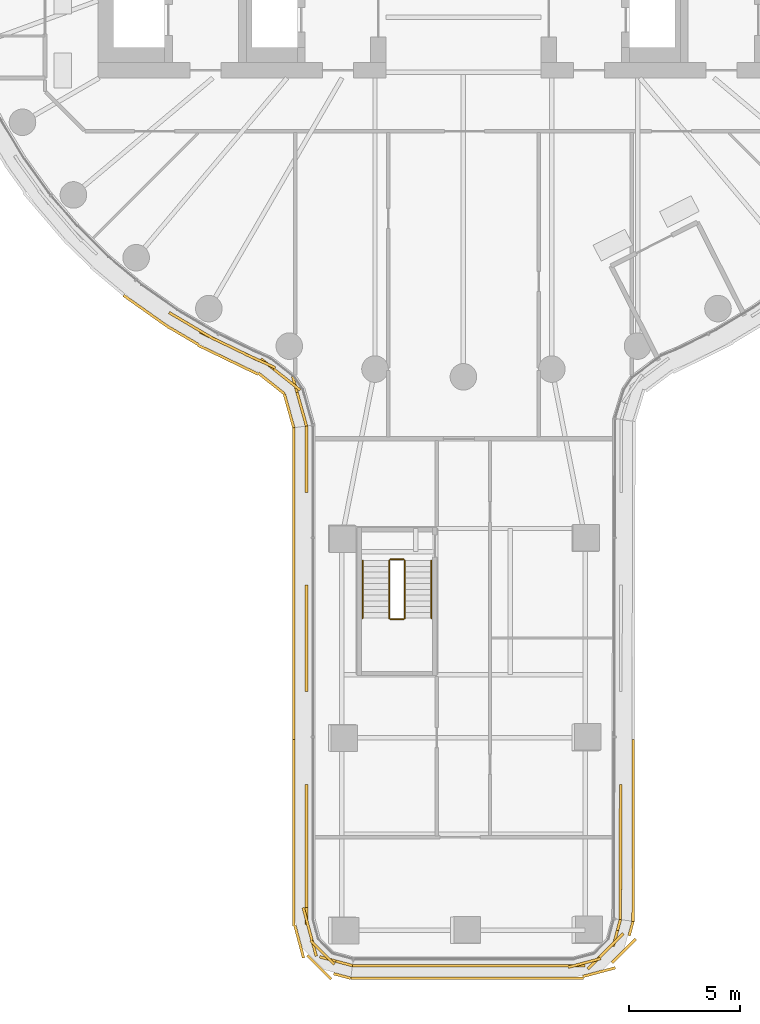
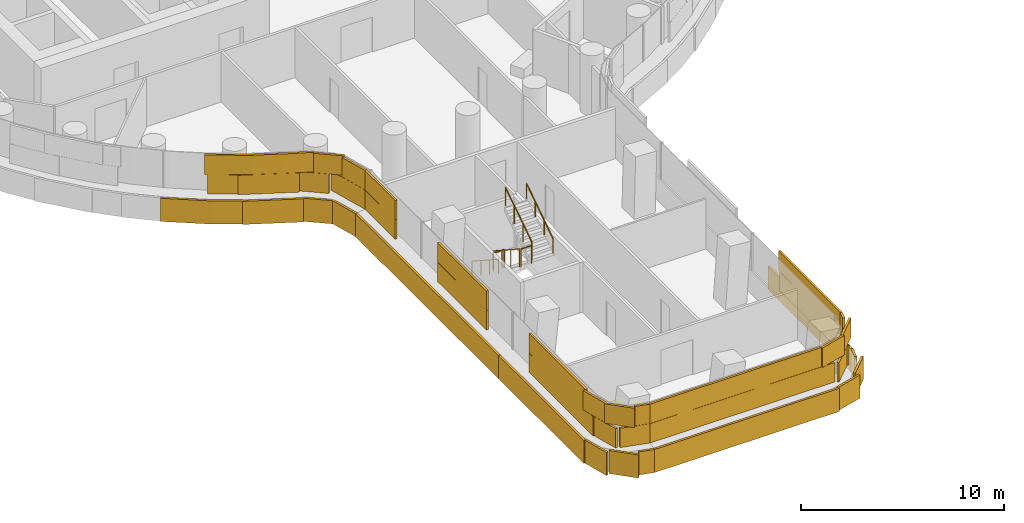
# One storey, part 25 of 32: 6 railings, 5 coverings.
"""IFC4 building model written with IfcOpenShell, lengths in metres."""

from ifc_helpers import new_model, si_unit, direction, frame, origin, origin_2d, place, context, subcontext, project, spatial, rectangle, circle, extrude, material, layer, layer_set, type_object, element, save


model = new_model("IFC4")

# Units and contexts
model_context = context("Model", 3, precision=1e-05, world=origin(), true_north=direction((0.0, 1.0)))
body_context = subcontext(model_context, "Body", "Model", "MODEL_VIEW")
ifc_project = project(units=[si_unit("LENGTHUNIT", "METRE"), si_unit("AREAUNIT", "SQUARE_METRE"), si_unit("VOLUMEUNIT", "CUBIC_METRE"), si_unit("PLANEANGLEUNIT", "RADIAN"), si_unit("MASSUNIT", "GRAM", prefix="KILO")], contexts=[model_context])

# Site, building, storey
site_placement = place(None, origin())
site = spatial("IfcSite", under=ifc_project, at=site_placement, CompositionType="ELEMENT")
building_placement = place(site_placement, origin())
building = spatial("IfcBuilding", under=site, at=building_placement, Name="Tamarind Cross Interchange Tower", CompositionType="ELEMENT")
storey_placement = place(building_placement, frame((0.0, 0.0, 34.0)))
storey = spatial("IfcBuildingStorey", under=building, at=storey_placement, Name="L06", CompositionType="ELEMENT", Elevation=34.0)

# Railings
ifc_material_1 = material(Name="Stair guard")
railing_type_1 = type_object("IfcRailingType", Name="Stair guard", PredefinedType="GUARDRAIL", material=ifc_material_1)
railing_1_placement = place(storey_placement, frame((-3.35009765625, -31.300048828125, 0.17041015625)))
element("IfcRailing", 1, at=railing_1_placement, inside=storey, type_object=railing_type_1, Name="L06 ST6 stair guard 1", PredefinedType="GUARDRAIL", context=body_context, shape_type="SweptSolid", body=[
    extrude(circle(Radius=0.02392578125, at=origin_2d()), frame((0.0, 0.0, 1.076171875), z_axis=(0.0, -0.836278606002, 0.548304744775), x_axis=(1.0, 0.0, 0.0)), (0.0, 0.0, 1.0), 3.10888671875),
    extrude(circle(Radius=0.02099609375, at=origin_2d()), origin(), (0.0, 0.0, 1.0), 1.052001953125),
    extrude(circle(Radius=0.02099609375, at=origin_2d()), frame((0.0, -0.86669921875, 0.568115234375)), (0.0, 0.0, 1.0), 1.052001953125),
    extrude(circle(Radius=0.02099609375, at=origin_2d()), frame((0.0, -1.733154296875, 1.136474609375)), (0.0, 0.0, 1.0), 1.052001953125),
    extrude(circle(Radius=0.02099609375, at=origin_2d()), frame((0.0, -2.599853515625, 1.70458984375)), (0.0, 0.0, 1.0), 1.052001953125),
])
railing_2_placement = place(storey_placement, frame((-3.300048828125, -33.949951171875, 1.875)))
element("IfcRailing", 2, at=railing_2_placement, inside=storey, type_object=railing_type_1, Name="L06 ST6 stair guard 2", PredefinedType="GUARDRAIL", context=body_context, shape_type="SweptSolid", body=[
    extrude(circle(Radius=0.02392578125, at=origin_2d()), frame((0.0, 0.0, 1.076171875), z_axis=(1.0, 0.0, 0.0), x_axis=(0.0, 1.0, 0.0)), (0.0, 0.0, 1.0), 0.60009765625),
    extrude(circle(Radius=0.02099609375, at=origin_2d()), origin(), (0.0, 0.0, 1.0), 1.052001953125),
    extrude(circle(Radius=0.02099609375, at=origin_2d()), frame((0.60009765625, 0.0, 0.0)), (0.0, 0.0, 1.0), 1.052001953125),
])
railing_3_placement = place(storey_placement, frame((-2.64990234375, -33.89990234375, 2.04541015625)))
element("IfcRailing", 3, at=railing_3_placement, inside=storey, type_object=railing_type_1, Name="L06 ST6 stair guard 3", PredefinedType="GUARDRAIL", context=body_context, shape_type="SweptSolid", body=[
    extrude(circle(Radius=0.02392578125, at=origin_2d()), frame((0.0, 0.0, 1.076171875), z_axis=(0.0, 0.836278606002, 0.548304744775), x_axis=(-1.0, 0.0, 0.0)), (0.0, 0.0, 1.0), 3.10888671875),
    extrude(circle(Radius=0.02099609375, at=origin_2d()), origin(), (0.0, 0.0, 1.0), 1.052001953125),
    extrude(circle(Radius=0.02099609375, at=origin_2d()), frame((0.0, 0.86669921875, 0.568115234375)), (0.0, 0.0, 1.0), 1.052001953125),
    extrude(circle(Radius=0.02099609375, at=origin_2d()), frame((0.0, 1.733154296875, 1.136474609375)), (0.0, 0.0, 1.0), 1.052001953125),
    extrude(circle(Radius=0.02099609375, at=origin_2d()), frame((0.0, 2.599853515625, 1.70458984375)), (0.0, 0.0, 1.0), 1.052001953125),
])
railing_4_placement = place(storey_placement, frame((-3.300048828125, -31.25, 0.0)))
element("IfcRailing", 4, at=railing_4_placement, inside=storey, type_object=railing_type_1, Name="L06 ST6 stair guard 4", PredefinedType="GUARDRAIL", context=body_context, shape_type="SweptSolid", body=[
    extrude(circle(Radius=0.02392578125, at=origin_2d()), frame((0.0, 0.0, 1.076171875), z_axis=(1.0, 0.0, 0.0), x_axis=(0.0, 1.0, 0.0)), (0.0, 0.0, 1.0), 0.60009765625),
    extrude(circle(Radius=0.02099609375, at=origin_2d()), origin(), (0.0, 0.0, 1.0), 1.052001953125),
    extrude(circle(Radius=0.02099609375, at=origin_2d()), frame((0.60009765625, 0.0, 0.0)), (0.0, 0.0, 1.0), 1.052001953125),
])
ifc_material_2 = material(Name="Stair handrail")
railing_type_2 = type_object("IfcRailingType", Name="Stair handrail", PredefinedType="HANDRAIL", material=ifc_material_2)
railing_5_placement = place(storey_placement, frame((-4.550048828125, -31.300048828125, 0.17041015625)))
element("IfcRailing", 5, at=railing_5_placement, inside=storey, type_object=railing_type_2, Name="L06 ST6 stair handrail 1", PredefinedType="HANDRAIL", context=body_context, shape_type="SweptSolid", body=[
    extrude(circle(Radius=0.02392578125, at=origin_2d()), frame((0.0, 0.0, 0.8759765625), z_axis=(0.0, -0.836278606002, 0.548304744775), x_axis=(1.0, 0.0, 0.0)), (0.0, 0.0, 1.0), 3.10888671875),
    extrude(circle(Radius=0.02099609375, at=origin_2d()), origin(), (0.0, 0.0, 1.0), 0.851806640625),
    extrude(circle(Radius=0.02099609375, at=origin_2d()), frame((0.0, -0.86669921875, 0.568115234375)), (0.0, 0.0, 1.0), 0.851806640625),
    extrude(circle(Radius=0.02099609375, at=origin_2d()), frame((0.0, -1.733154296875, 1.136474609375)), (0.0, 0.0, 1.0), 0.851806640625),
    extrude(circle(Radius=0.02099609375, at=origin_2d()), frame((0.0, -2.599853515625, 1.70458984375)), (0.0, 0.0, 1.0), 0.851806640625),
])
railing_6_placement = place(storey_placement, frame((-1.449951171875, -33.89990234375, 2.04541015625)))
element("IfcRailing", 6, at=railing_6_placement, inside=storey, type_object=railing_type_2, Name="L06 ST6 stair handrail 2", PredefinedType="HANDRAIL", context=body_context, shape_type="SweptSolid", body=[
    extrude(circle(Radius=0.02392578125, at=origin_2d()), frame((0.0, 0.0, 0.8759765625), z_axis=(0.0, 0.836278606002, 0.548304744775), x_axis=(-1.0, 0.0, 0.0)), (0.0, 0.0, 1.0), 3.10888671875),
    extrude(circle(Radius=0.02099609375, at=origin_2d()), origin(), (0.0, 0.0, 1.0), 0.851806640625),
    extrude(circle(Radius=0.02099609375, at=origin_2d()), frame((0.0, 0.86669921875, 0.568115234375)), (0.0, 0.0, 1.0), 0.851806640625),
    extrude(circle(Radius=0.02099609375, at=origin_2d()), frame((0.0, 1.733154296875, 1.136474609375)), (0.0, 0.0, 1.0), 0.851806640625),
    extrude(circle(Radius=0.02099609375, at=origin_2d()), frame((0.0, 2.599853515625, 1.70458984375)), (0.0, 0.0, 1.0), 0.851806640625),
])

# Coverings
ifc_material_3 = material(Name="Terracotta", Category="masonry")
ifc_layer = layer(ifc_material_3, 0.1201171875)
ifc_layer_set = layer_set([ifc_layer], Name="Terracotta")
covering_type = type_object("IfcCoveringType", Name="Terracotta baguette screen unit", PredefinedType="MOLDING", material=ifc_layer_set)
covering_1_placement = place(storey_placement, origin())
element("IfcCovering", 7, at=covering_1_placement, inside=storey, type_object=covering_type, Name="SCR-L06-03-01", PredefinedType="MOLDING", context=body_context, shape_type="SweptSolid", body=[
    extrude(rectangle(XDim=1.52001953125, YDim=0.1201171875, at=origin_2d()), frame((-12.519775390625, -20.55517578125, 1.404052734375), z_axis=(0.0, 0.0, 1.0), x_axis=(0.861248933065, -0.508183308752, 0.0)), (0.0, 0.0, 1.0), 1.1669921875),
    extrude(rectangle(XDim=1.52001953125, YDim=0.1201171875, at=origin_2d()), frame((-11.221435546875, -21.30517578125, 1.404052734375), z_axis=(0.0, 0.0, 1.0), x_axis=(0.900272776334, -0.435326231914, 0.0)), (0.0, 0.0, 1.0), 1.1669921875),
    extrude(rectangle(XDim=1.52001953125, YDim=0.1201171875, at=origin_2d()), frame((-9.87109375, -21.958251953125, 1.404052734375), z_axis=(0.0, 0.0, 1.0), x_axis=(0.900272776334, -0.435326231914, 0.0)), (0.0, 0.0, 1.0), 1.1669921875),
    extrude(rectangle(XDim=1.52001953125, YDim=0.1201171875, at=origin_2d()), frame((-8.5546875, -22.660888671875, 1.404052734375), z_axis=(0.0, 0.0, 1.0), x_axis=(0.782751095823, -0.622334895364, 0.0)), (0.0, 0.0, 1.0), 1.1669921875),
    extrude(rectangle(XDim=1.52001953125, YDim=0.1201171875, at=origin_2d()), frame((-7.510986328125, -23.712890625, 1.404052734375), z_axis=(0.0, 0.0, 1.0), x_axis=(0.268868386706, -0.963176925923, 0.0)), (0.0, 0.0, 1.0), 1.1669921875),
    extrude(rectangle(XDim=0.825927734375, YDim=0.1201171875, at=origin_2d()), frame((-7.19970703125, -24.828125, 1.404052734375), z_axis=(0.0, 0.0, 1.0), x_axis=(0.268868386706, -0.963176925923, 0.0)), (0.0, 0.0, 1.0), 1.1669921875),
    extrude(rectangle(XDim=0.906494140625, YDim=0.1201171875, at=origin_2d()), frame((-12.906005859375, -20.327392578125, 2.5791015625), z_axis=(0.0, 0.0, 1.0), x_axis=(0.861248933065, -0.508183308752, 0.0)), (0.0, 0.0, 1.0), 1.1669921875),
    extrude(rectangle(XDim=1.52001953125, YDim=0.1201171875, at=origin_2d()), frame((-11.8740234375, -20.936279296875, 2.5791015625), z_axis=(0.0, 0.0, 1.0), x_axis=(0.861248933065, -0.508183308752, 0.0)), (0.0, 0.0, 1.0), 1.1669921875),
    extrude(rectangle(XDim=1.52001953125, YDim=0.1201171875, at=origin_2d()), frame((-10.546142578125, -21.631591796875, 2.5791015625), z_axis=(0.0, 0.0, 1.0), x_axis=(0.900272776334, -0.435326231914, 0.0)), (0.0, 0.0, 1.0), 1.1669921875),
    extrude(rectangle(XDim=1.52001953125, YDim=0.1201171875, at=origin_2d()), frame((-9.19140625, -22.275146484375, 2.5791015625), z_axis=(0.0, 0.0, 1.0), x_axis=(0.910748805886, -0.412960788184, 0.0)), (0.0, 0.0, 1.0), 1.1669921875),
    extrude(rectangle(XDim=1.52001953125, YDim=0.1201171875, at=origin_2d()), frame((-7.9677734375, -23.127685546875, 2.5791015625), z_axis=(0.0, 0.0, 1.0), x_axis=(0.782751095823, -0.622334895364, 0.0)), (0.0, 0.0, 1.0), 1.1669921875),
    extrude(rectangle(XDim=1.52001953125, YDim=0.1201171875, at=origin_2d()), frame((-7.309326171875, -24.435302734375, 2.5791015625), z_axis=(0.0, 0.0, 1.0), x_axis=(0.268868386706, -0.963176925923, 0.0)), (0.0, 0.0, 1.0), 1.1669921875),
    extrude(rectangle(XDim=0.075927734375, YDim=0.1201171875, at=origin_2d()), frame((-7.098876953125, -25.189453125, 2.5791015625), z_axis=(0.0, 0.0, 1.0), x_axis=(0.268868386706, -0.963176925923, 0.0)), (0.0, 0.0, 1.0), 1.1669921875),
    extrude(rectangle(XDim=1.059814453125, YDim=0.1201171875, at=origin_2d()), frame((-14.920654296875, -19.626220703125, 0.00390625), z_axis=(0.0, 0.0, 1.0), x_axis=(0.816341886298, -0.577568978284, 0.0)), (0.0, 0.0, 1.0), 1.39208984375),
    extrude(rectangle(XDim=1.52001953125, YDim=0.1201171875, at=origin_2d()), frame((-13.884033203125, -20.359619140625, 0.00390625), z_axis=(0.0, 0.0, 1.0), x_axis=(0.816341886298, -0.577568978284, 0.0)), (0.0, 0.0, 1.0), 1.39208984375),
    extrude(rectangle(XDim=1.52001953125, YDim=0.1201171875, at=origin_2d()), frame((-12.618896484375, -21.1630859375, 0.00390625), z_axis=(0.0, 0.0, 1.0), x_axis=(0.861248933065, -0.508183308752, 0.0)), (0.0, 0.0, 1.0), 1.39208984375),
    extrude(rectangle(XDim=1.52001953125, YDim=0.1201171875, at=origin_2d()), frame((-11.312744140625, -21.898681640625, 0.00390625), z_axis=(0.0, 0.0, 1.0), x_axis=(0.900272776334, -0.435326231914, 0.0)), (0.0, 0.0, 1.0), 1.39208984375),
    extrude(rectangle(XDim=1.52001953125, YDim=0.1201171875, at=origin_2d()), frame((-9.962158203125, -22.551513671875, 0.00390625), z_axis=(0.0, 0.0, 1.0), x_axis=(0.900272776334, -0.435326231914, 0.0)), (0.0, 0.0, 1.0), 1.39208984375),
    extrude(rectangle(XDim=1.52001953125, YDim=0.1201171875, at=origin_2d()), frame((-8.674072265625, -23.29931640625, 0.00390625), z_axis=(0.0, 0.0, 1.0), x_axis=(0.782751095823, -0.622334895364, 0.0)), (0.0, 0.0, 1.0), 1.39208984375),
    extrude(rectangle(XDim=1.52001953125, YDim=0.1201171875, at=origin_2d()), frame((-7.884521484375, -24.50927734375, 0.00390625), z_axis=(0.0, 0.0, 1.0), x_axis=(0.268868386706, -0.963176925923, 0.0)), (0.0, 0.0, 1.0), 1.39208984375),
    extrude(rectangle(XDim=0.08056640625, YDim=0.1201171875, at=origin_2d()), frame((-7.6748046875, -25.260986328125, 0.00390625), z_axis=(0.0, 0.0, 1.0), x_axis=(0.268868386706, -0.963176925923, 0.0)), (0.0, 0.0, 1.0), 1.39208984375),
])
covering_2_placement = place(storey_placement, origin())
element("IfcCovering", 8, at=covering_2_placement, inside=storey, type_object=covering_type, Name="SCR-L06-04-00", PredefinedType="MOLDING", context=body_context, shape_type="SweptSolid", body=[
    extrude(rectangle(XDim=1.510009765625, YDim=0.1201171875, at=origin_2d()), frame((-7.090087890625, -25.97119140625, 1.404052734375), z_axis=(0.0, 0.0, 1.0), x_axis=(0.0, -1.0, 0.0)), (0.0, 0.0, 1.0), 1.1669921875),
    extrude(rectangle(XDim=1.5009765625, YDim=0.1201171875, at=origin_2d()), frame((-7.090087890625, -27.466552734375, 1.404052734375), z_axis=(0.0, 0.0, 1.0), x_axis=(0.0, -1.0, 0.0)), (0.0, 0.0, 1.0), 1.1669921875),
    extrude(rectangle(XDim=0.31884765625, YDim=0.1201171875, at=origin_2d()), frame((-7.090087890625, -32.566650390625, 1.404052734375), z_axis=(0.0, 0.0, 1.0), x_axis=(0.0, -1.0, 0.0)), (0.0, 0.0, 1.0), 1.1669921875),
    extrude(rectangle(XDim=1.52001953125, YDim=0.1201171875, at=origin_2d()), frame((-7.090087890625, -33.47119140625, 1.404052734375), z_axis=(0.0, 0.0, 1.0), x_axis=(0.0, -1.0, 0.0)), (0.0, 0.0, 1.0), 1.1669921875),
    extrude(rectangle(XDim=1.52001953125, YDim=0.1201171875, at=origin_2d()), frame((-7.090087890625, -34.97119140625, 1.404052734375), z_axis=(0.0, 0.0, 1.0), x_axis=(0.0, -1.0, 0.0)), (0.0, 0.0, 1.0), 1.1669921875),
    extrude(rectangle(XDim=1.5009765625, YDim=0.1201171875, at=origin_2d()), frame((-7.090087890625, -36.466552734375, 1.404052734375), z_axis=(0.0, 0.0, 1.0), x_axis=(0.0, -1.0, 0.0)), (0.0, 0.0, 1.0), 1.1669921875),
    extrude(rectangle(XDim=0.760009765625, YDim=0.1201171875, at=origin_2d()), frame((-7.090087890625, -25.59619140625, 2.5791015625), z_axis=(0.0, 0.0, 1.0), x_axis=(0.0, -1.0, 0.0)), (0.0, 0.0, 1.0), 1.1669921875),
    extrude(rectangle(XDim=1.52001953125, YDim=0.1201171875, at=origin_2d()), frame((-7.090087890625, -26.72119140625, 2.5791015625), z_axis=(0.0, 0.0, 1.0), x_axis=(0.0, -1.0, 0.0)), (0.0, 0.0, 1.0), 1.1669921875),
    extrude(rectangle(XDim=0.7509765625, YDim=0.1201171875, at=origin_2d()), frame((-7.090087890625, -27.841552734375, 2.5791015625), z_axis=(0.0, 0.0, 1.0), x_axis=(0.0, -1.0, 0.0)), (0.0, 0.0, 1.0), 1.1669921875),
    extrude(rectangle(XDim=1.06884765625, YDim=0.1201171875, at=origin_2d()), frame((-7.090087890625, -32.941650390625, 2.5791015625), z_axis=(0.0, 0.0, 1.0), x_axis=(0.0, -1.0, 0.0)), (0.0, 0.0, 1.0), 1.1669921875),
    extrude(rectangle(XDim=1.52001953125, YDim=0.1201171875, at=origin_2d()), frame((-7.090087890625, -34.22119140625, 2.5791015625), z_axis=(0.0, 0.0, 1.0), x_axis=(0.0, -1.0, 0.0)), (0.0, 0.0, 1.0), 1.1669921875),
    extrude(rectangle(XDim=1.52001953125, YDim=0.1201171875, at=origin_2d()), frame((-7.090087890625, -35.72119140625, 2.5791015625), z_axis=(0.0, 0.0, 1.0), x_axis=(0.0, -1.0, 0.0)), (0.0, 0.0, 1.0), 1.1669921875),
    extrude(rectangle(XDim=0.7509765625, YDim=0.1201171875, at=origin_2d()), frame((-7.090087890625, -36.841552734375, 2.5791015625), z_axis=(0.0, 0.0, 1.0), x_axis=(0.0, -1.0, 0.0)), (0.0, 0.0, 1.0), 1.1669921875),
    extrude(rectangle(XDim=1.510009765625, YDim=0.1201171875, at=origin_2d()), frame((-7.6640625, -26.0546875, 0.00390625), z_axis=(0.0, 0.0, 1.0), x_axis=(0.0, -1.0, 0.0)), (0.0, 0.0, 1.0), 1.39208984375),
    extrude(rectangle(XDim=1.52001953125, YDim=0.1201171875, at=origin_2d()), frame((-7.6640625, -27.5498046875, 0.00390625), z_axis=(0.0, 0.0, 1.0), x_axis=(0.0, -1.0, 0.0)), (0.0, 0.0, 1.0), 1.39208984375),
    extrude(rectangle(XDim=1.52001953125, YDim=0.1201171875, at=origin_2d()), frame((-7.6640625, -29.0498046875, 0.00390625), z_axis=(0.0, 0.0, 1.0), x_axis=(0.0, -1.0, 0.0)), (0.0, 0.0, 1.0), 1.39208984375),
    extrude(rectangle(XDim=1.52001953125, YDim=0.1201171875, at=origin_2d()), frame((-7.6640625, -30.5498046875, 0.00390625), z_axis=(0.0, 0.0, 1.0), x_axis=(0.0, -1.0, 0.0)), (0.0, 0.0, 1.0), 1.39208984375),
    extrude(rectangle(XDim=1.52001953125, YDim=0.1201171875, at=origin_2d()), frame((-7.6640625, -32.0498046875, 0.00390625), z_axis=(0.0, 0.0, 1.0), x_axis=(0.0, -1.0, 0.0)), (0.0, 0.0, 1.0), 1.39208984375),
    extrude(rectangle(XDim=1.52001953125, YDim=0.1201171875, at=origin_2d()), frame((-7.6640625, -33.5498046875, 0.00390625), z_axis=(0.0, 0.0, 1.0), x_axis=(0.0, -1.0, 0.0)), (0.0, 0.0, 1.0), 1.39208984375),
    extrude(rectangle(XDim=1.52001953125, YDim=0.1201171875, at=origin_2d()), frame((-7.6640625, -35.0498046875, 0.00390625), z_axis=(0.0, 0.0, 1.0), x_axis=(0.0, -1.0, 0.0)), (0.0, 0.0, 1.0), 1.39208984375),
    extrude(rectangle(XDim=1.52001953125, YDim=0.1201171875, at=origin_2d()), frame((-7.6640625, -36.5498046875, 0.00390625), z_axis=(0.0, 0.0, 1.0), x_axis=(0.0, -1.0, 0.0)), (0.0, 0.0, 1.0), 1.39208984375),
    extrude(rectangle(XDim=1.52001953125, YDim=0.1201171875, at=origin_2d()), frame((-7.6640625, -38.0498046875, 0.00390625), z_axis=(0.0, 0.0, 1.0), x_axis=(0.0, -1.0, 0.0)), (0.0, 0.0, 1.0), 1.39208984375),
    extrude(rectangle(XDim=0.598876953125, YDim=0.1201171875, at=origin_2d()), frame((-7.6640625, -39.089111328125, 0.00390625), z_axis=(0.0, 0.0, 1.0), x_axis=(0.0, -1.0, 0.0)), (0.0, 0.0, 1.0), 1.39208984375),
])
covering_3_placement = place(storey_placement, origin())
element("IfcCovering", 9, at=covering_3_placement, inside=storey, type_object=covering_type, Name="SCR-L06-04-01", PredefinedType="MOLDING", context=body_context, shape_type="SweptSolid", body=[
    extrude(rectangle(XDim=0.319091796875, YDim=0.1201171875, at=origin_2d()), frame((-7.090087890625, -41.566650390625, 1.404052734375), z_axis=(0.0, 0.0, 1.0), x_axis=(0.0, -1.0, 0.0)), (0.0, 0.0, 1.0), 1.1669921875),
    extrude(rectangle(XDim=1.52001953125, YDim=0.1201171875, at=origin_2d()), frame((-7.090087890625, -42.47119140625, 1.404052734375), z_axis=(0.0, 0.0, 1.0), x_axis=(0.0, -1.0, 0.0)), (0.0, 0.0, 1.0), 1.1669921875),
    extrude(rectangle(XDim=1.52001953125, YDim=0.1201171875, at=origin_2d()), frame((-7.090087890625, -43.97119140625, 1.404052734375), z_axis=(0.0, 0.0, 1.0), x_axis=(0.0, -1.0, 0.0)), (0.0, 0.0, 1.0), 1.1669921875),
    extrude(rectangle(XDim=1.52001953125, YDim=0.1201171875, at=origin_2d()), frame((-7.090087890625, -45.47119140625, 1.404052734375), z_axis=(0.0, 0.0, 1.0), x_axis=(0.0, -1.0, 0.0)), (0.0, 0.0, 1.0), 1.1669921875),
    extrude(rectangle(XDim=1.52001953125, YDim=0.1201171875, at=origin_2d()), frame((-7.090087890625, -46.97119140625, 1.404052734375), z_axis=(0.0, 0.0, 1.0), x_axis=(0.0, -1.0, 0.0)), (0.0, 0.0, 1.0), 1.1669921875),
    extrude(rectangle(XDim=1.52001953125, YDim=0.1201171875, at=origin_2d()), frame((-6.84375, -48.438720703125, 1.404052734375), z_axis=(0.0, 0.0, 1.0), x_axis=(0.258819045103, -0.965925826289, 0.0)), (0.0, 0.0, 1.0), 1.1669921875),
    extrude(rectangle(XDim=1.52001953125, YDim=0.1201171875, at=origin_2d()), frame((-5.759765625, -49.397216796875, 1.404052734375), z_axis=(0.0, 0.0, 1.0), x_axis=(0.965925826289, -0.258819045103, 0.0)), (0.0, 0.0, 1.0), 1.1669921875),
    extrude(rectangle(XDim=0.034423828125, YDim=0.1201171875, at=origin_2d()), frame((-5.023681640625, -49.594482421875, 1.404052734375), z_axis=(0.0, 0.0, 1.0), x_axis=(0.965925826289, -0.258819045103, 0.0)), (0.0, 0.0, 1.0), 1.1669921875),
    extrude(rectangle(XDim=1.069091796875, YDim=0.1201171875, at=origin_2d()), frame((-7.090087890625, -41.941650390625, 2.5791015625), z_axis=(0.0, 0.0, 1.0), x_axis=(0.0, -1.0, 0.0)), (0.0, 0.0, 1.0), 1.1669921875),
    extrude(rectangle(XDim=1.52001953125, YDim=0.1201171875, at=origin_2d()), frame((-7.090087890625, -43.22119140625, 2.5791015625), z_axis=(0.0, 0.0, 1.0), x_axis=(0.0, -1.0, 0.0)), (0.0, 0.0, 1.0), 1.1669921875),
    extrude(rectangle(XDim=1.52001953125, YDim=0.1201171875, at=origin_2d()), frame((-7.090087890625, -44.72119140625, 2.5791015625), z_axis=(0.0, 0.0, 1.0), x_axis=(0.0, -1.0, 0.0)), (0.0, 0.0, 1.0), 1.1669921875),
    extrude(rectangle(XDim=1.52001953125, YDim=0.1201171875, at=origin_2d()), frame((-7.090087890625, -46.22119140625, 2.5791015625), z_axis=(0.0, 0.0, 1.0), x_axis=(0.0, -1.0, 0.0)), (0.0, 0.0, 1.0), 1.1669921875),
    extrude(rectangle(XDim=1.52001953125, YDim=0.1201171875, at=origin_2d()), frame((-7.037841796875, -47.71435546875, 2.5791015625), z_axis=(0.0, 0.0, 1.0), x_axis=(0.258819045103, -0.965925826289, 0.0)), (0.0, 0.0, 1.0), 1.1669921875),
    extrude(rectangle(XDim=1.52001953125, YDim=0.1201171875, at=origin_2d()), frame((-6.366943359375, -49.0, 2.5791015625), z_axis=(0.0, 0.0, 1.0), x_axis=(0.707106781187, -0.707106781187, 0.0)), (0.0, 0.0, 1.0), 1.1669921875),
    extrude(rectangle(XDim=0.784423828125, YDim=0.1201171875, at=origin_2d()), frame((-5.3857421875, -49.497314453125, 2.5791015625), z_axis=(0.0, 0.0, 1.0), x_axis=(0.965925826289, -0.258819045103, 0.0)), (0.0, 0.0, 1.0), 1.1669921875),
    extrude(rectangle(XDim=0.921142578125, YDim=0.1201171875, at=origin_2d()), frame((-7.6640625, -39.84912109375, 0.00390625), z_axis=(0.0, 0.0, 1.0), x_axis=(0.0, -1.0, 0.0)), (0.0, 0.0, 1.0), 1.39208984375),
    extrude(rectangle(XDim=1.52001953125, YDim=0.1201171875, at=origin_2d()), frame((-7.6640625, -41.0498046875, 0.00390625), z_axis=(0.0, 0.0, 1.0), x_axis=(0.0, -1.0, 0.0)), (0.0, 0.0, 1.0), 1.39208984375),
    extrude(rectangle(XDim=1.52001953125, YDim=0.1201171875, at=origin_2d()), frame((-7.6640625, -42.5498046875, 0.00390625), z_axis=(0.0, 0.0, 1.0), x_axis=(0.0, -1.0, 0.0)), (0.0, 0.0, 1.0), 1.39208984375),
    extrude(rectangle(XDim=1.52001953125, YDim=0.1201171875, at=origin_2d()), frame((-7.6640625, -44.0498046875, 0.00390625), z_axis=(0.0, 0.0, 1.0), x_axis=(0.0, -1.0, 0.0)), (0.0, 0.0, 1.0), 1.39208984375),
    extrude(rectangle(XDim=1.52001953125, YDim=0.1201171875, at=origin_2d()), frame((-7.6640625, -45.5498046875, 0.00390625), z_axis=(0.0, 0.0, 1.0), x_axis=(0.0, -1.0, 0.0)), (0.0, 0.0, 1.0), 1.39208984375),
    extrude(rectangle(XDim=1.52001953125, YDim=0.1201171875, at=origin_2d()), frame((-7.6640625, -47.0498046875, 0.00390625), z_axis=(0.0, 0.0, 1.0), x_axis=(0.0, -1.0, 0.0)), (0.0, 0.0, 1.0), 1.39208984375),
    extrude(rectangle(XDim=1.52001953125, YDim=0.1201171875, at=origin_2d()), frame((-7.4169921875, -48.51708984375, 0.00390625), z_axis=(0.0, 0.0, 1.0), x_axis=(0.258819045103, -0.965925826289, 0.0)), (0.0, 0.0, 1.0), 1.39208984375),
    extrude(rectangle(XDim=1.52001953125, YDim=0.1201171875, at=origin_2d()), frame((-6.51123046875, -49.66748046875, 0.00390625), z_axis=(0.0, 0.0, 1.0), x_axis=(0.707106781187, -0.707106781187, 0.0)), (0.0, 0.0, 1.0), 1.39208984375),
    extrude(rectangle(XDim=0.797607421875, YDim=0.1201171875, at=origin_2d()), frame((-5.47265625, -50.068359375, 0.00390625), z_axis=(0.0, 0.0, 1.0), x_axis=(0.965925826289, -0.258819045103, 0.0)), (0.0, 0.0, 1.0), 1.39208984375),
])
covering_4_placement = place(storey_placement, origin())
element("IfcCovering", 10, at=covering_4_placement, inside=storey, type_object=covering_type, Name="SCR-L06-05-00", PredefinedType="MOLDING", context=body_context, shape_type="SweptSolid", body=[
    extrude(rectangle(XDim=1.510009765625, YDim=0.1201171875, at=origin_2d()), frame((-4.261962890625, -49.59765625, 1.404052734375), z_axis=(0.0, 0.0, 1.0), x_axis=(1.0, 0.0, 0.0)), (0.0, 0.0, 1.0), 1.1669921875),
    extrude(rectangle(XDim=1.52001953125, YDim=0.1201171875, at=origin_2d()), frame((-2.761962890625, -49.59765625, 1.404052734375), z_axis=(0.0, 0.0, 1.0), x_axis=(1.0, 0.0, 0.0)), (0.0, 0.0, 1.0), 1.1669921875),
    extrude(rectangle(XDim=1.52001953125, YDim=0.1201171875, at=origin_2d()), frame((-1.261962890625, -49.59765625, 1.404052734375), z_axis=(0.0, 0.0, 1.0), x_axis=(1.0, 0.0, 0.0)), (0.0, 0.0, 1.0), 1.1669921875),
    extrude(rectangle(XDim=1.52001953125, YDim=0.1201171875, at=origin_2d()), frame((0.238037109375, -49.59765625, 1.404052734375), z_axis=(0.0, 0.0, 1.0), x_axis=(1.0, 0.0, 0.0)), (0.0, 0.0, 1.0), 1.1669921875),
    extrude(rectangle(XDim=1.52001953125, YDim=0.1201171875, at=origin_2d()), frame((1.738037109375, -49.59765625, 1.404052734375), z_axis=(0.0, 0.0, 1.0), x_axis=(1.0, 0.0, 0.0)), (0.0, 0.0, 1.0), 1.1669921875),
    extrude(rectangle(XDim=1.52001953125, YDim=0.1201171875, at=origin_2d()), frame((3.238037109375, -49.59765625, 1.404052734375), z_axis=(0.0, 0.0, 1.0), x_axis=(1.0, 0.0, 0.0)), (0.0, 0.0, 1.0), 1.1669921875),
    extrude(rectangle(XDim=1.52001953125, YDim=0.1201171875, at=origin_2d()), frame((4.738037109375, -49.59765625, 1.404052734375), z_axis=(0.0, 0.0, 1.0), x_axis=(1.0, 0.0, 0.0)), (0.0, 0.0, 1.0), 1.1669921875),
    extrude(rectangle(XDim=1.52001953125, YDim=0.1201171875, at=origin_2d()), frame((6.15625, -49.210693359375, 1.404052734375), z_axis=(0.0, 0.0, 1.0), x_axis=(0.707106781187, 0.707106781187, 0.0)), (0.0, 0.0, 1.0), 1.1669921875),
    extrude(rectangle(XDim=1.259521484375, YDim=0.1201171875, at=origin_2d()), frame((6.92822265625, -48.123046875, 1.404052734375), z_axis=(0.0, 0.0, 1.0), x_axis=(0.258819045103, 0.965925826289, 0.0)), (0.0, 0.0, 1.0), 1.1669921875),
    extrude(rectangle(XDim=0.760009765625, YDim=0.1201171875, at=origin_2d()), frame((-4.636962890625, -49.59765625, 2.5791015625), z_axis=(0.0, 0.0, 1.0), x_axis=(1.0, 0.0, 0.0)), (0.0, 0.0, 1.0), 1.1669921875),
    extrude(rectangle(XDim=1.52001953125, YDim=0.1201171875, at=origin_2d()), frame((-3.511962890625, -49.59765625, 2.5791015625), z_axis=(0.0, 0.0, 1.0), x_axis=(1.0, 0.0, 0.0)), (0.0, 0.0, 1.0), 1.1669921875),
    extrude(rectangle(XDim=1.52001953125, YDim=0.1201171875, at=origin_2d()), frame((-2.011962890625, -49.59765625, 2.5791015625), z_axis=(0.0, 0.0, 1.0), x_axis=(1.0, 0.0, 0.0)), (0.0, 0.0, 1.0), 1.1669921875),
    extrude(rectangle(XDim=1.52001953125, YDim=0.1201171875, at=origin_2d()), frame((-0.511962890625, -49.59765625, 2.5791015625), z_axis=(0.0, 0.0, 1.0), x_axis=(1.0, 0.0, 0.0)), (0.0, 0.0, 1.0), 1.1669921875),
    extrude(rectangle(XDim=1.52001953125, YDim=0.1201171875, at=origin_2d()), frame((0.988037109375, -49.59765625, 2.5791015625), z_axis=(0.0, 0.0, 1.0), x_axis=(1.0, 0.0, 0.0)), (0.0, 0.0, 1.0), 1.1669921875),
    extrude(rectangle(XDim=1.52001953125, YDim=0.1201171875, at=origin_2d()), frame((2.488037109375, -49.59765625, 2.5791015625), z_axis=(0.0, 0.0, 1.0), x_axis=(1.0, 0.0, 0.0)), (0.0, 0.0, 1.0), 1.1669921875),
    extrude(rectangle(XDim=1.52001953125, YDim=0.1201171875, at=origin_2d()), frame((3.988037109375, -49.59765625, 2.5791015625), z_axis=(0.0, 0.0, 1.0), x_axis=(1.0, 0.0, 0.0)), (0.0, 0.0, 1.0), 1.1669921875),
    extrude(rectangle(XDim=1.52001953125, YDim=0.1201171875, at=origin_2d()), frame((5.471923828125, -49.474365234375, 2.5791015625), z_axis=(0.0, 0.0, 1.0), x_axis=(0.965925826289, 0.258819045103, 0.0)), (0.0, 0.0, 1.0), 1.1669921875),
    extrude(rectangle(XDim=1.52001953125, YDim=0.1201171875, at=origin_2d()), frame((6.6865234375, -48.680419921875, 2.5791015625), z_axis=(0.0, 0.0, 1.0), x_axis=(0.707106781187, 0.707106781187, 0.0)), (0.0, 0.0, 1.0), 1.1669921875),
    extrude(rectangle(XDim=0.509521484375, YDim=0.1201171875, at=origin_2d()), frame((7.025390625, -47.7607421875, 2.5791015625), z_axis=(0.0, 0.0, 1.0), x_axis=(0.258819045103, 0.965925826289, 0.0)), (0.0, 0.0, 1.0), 1.1669921875),
    extrude(rectangle(XDim=1.510009765625, YDim=0.1201171875, at=origin_2d()), frame((-4.33251953125, -50.171630859375, 0.00390625), z_axis=(0.0, 0.0, 1.0), x_axis=(1.0, 0.0, 0.0)), (0.0, 0.0, 1.0), 1.39208984375),
    extrude(rectangle(XDim=1.52001953125, YDim=0.1201171875, at=origin_2d()), frame((-2.83740234375, -50.171630859375, 0.00390625), z_axis=(0.0, 0.0, 1.0), x_axis=(1.0, 0.0, 0.0)), (0.0, 0.0, 1.0), 1.39208984375),
    extrude(rectangle(XDim=1.52001953125, YDim=0.1201171875, at=origin_2d()), frame((-1.33740234375, -50.171630859375, 0.00390625), z_axis=(0.0, 0.0, 1.0), x_axis=(1.0, 0.0, 0.0)), (0.0, 0.0, 1.0), 1.39208984375),
    extrude(rectangle(XDim=1.52001953125, YDim=0.1201171875, at=origin_2d()), frame((0.16259765625, -50.171630859375, 0.00390625), z_axis=(0.0, 0.0, 1.0), x_axis=(1.0, 0.0, 0.0)), (0.0, 0.0, 1.0), 1.39208984375),
    extrude(rectangle(XDim=1.52001953125, YDim=0.1201171875, at=origin_2d()), frame((1.66259765625, -50.171630859375, 0.00390625), z_axis=(0.0, 0.0, 1.0), x_axis=(1.0, 0.0, 0.0)), (0.0, 0.0, 1.0), 1.39208984375),
    extrude(rectangle(XDim=1.52001953125, YDim=0.1201171875, at=origin_2d()), frame((3.16259765625, -50.171630859375, 0.00390625), z_axis=(0.0, 0.0, 1.0), x_axis=(1.0, 0.0, 0.0)), (0.0, 0.0, 1.0), 1.39208984375),
    extrude(rectangle(XDim=1.52001953125, YDim=0.1201171875, at=origin_2d()), frame((4.66259765625, -50.171630859375, 0.00390625), z_axis=(0.0, 0.0, 1.0), x_axis=(1.0, 0.0, 0.0)), (0.0, 0.0, 1.0), 1.39208984375),
    extrude(rectangle(XDim=1.52001953125, YDim=0.1201171875, at=origin_2d()), frame((6.1259765625, -49.893310546875, 0.00390625), z_axis=(0.0, 0.0, 1.0), x_axis=(0.965925826289, 0.258819045103, 0.0)), (0.0, 0.0, 1.0), 1.39208984375),
    extrude(rectangle(XDim=1.52001953125, YDim=0.1201171875, at=origin_2d()), frame((7.244873046875, -48.93359375, 0.00390625), z_axis=(0.0, 0.0, 1.0), x_axis=(0.707106781187, 0.707106781187, 0.0)), (0.0, 0.0, 1.0), 1.39208984375),
    extrude(rectangle(XDim=0.676513671875, YDim=0.1201171875, at=origin_2d()), frame((7.576171875, -47.92236328125, 0.00390625), z_axis=(0.0, 0.0, 1.0), x_axis=(0.258819045103, 0.965925826289, 0.0)), (0.0, 0.0, 1.0), 1.39208984375),
])
covering_5_placement = place(storey_placement, origin())
element("IfcCovering", 11, at=covering_5_placement, inside=storey, type_object=covering_type, Name="SCR-L06-06-00", PredefinedType="MOLDING", context=body_context, shape_type="SweptSolid", body=[
    extrude(rectangle(XDim=1.510009765625, YDim=0.1201171875, at=origin_2d()), frame((7.091552734375, -46.76953125, 1.404052734375), z_axis=(0.0, 0.0, 1.0), x_axis=(0.00196177549, 0.999998075717, 0.0)), (0.0, 0.0, 1.0), 1.1669921875),
    extrude(rectangle(XDim=1.52001953125, YDim=0.1201171875, at=origin_2d()), frame((7.094482421875, -45.26953125, 1.404052734375), z_axis=(0.0, 0.0, 1.0), x_axis=(0.00196177549, 0.999998075717, 0.0)), (0.0, 0.0, 1.0), 1.1669921875),
    extrude(rectangle(XDim=1.52001953125, YDim=0.1201171875, at=origin_2d()), frame((7.097412109375, -43.76953125, 1.404052734375), z_axis=(0.0, 0.0, 1.0), x_axis=(0.00196177549, 0.999998075717, 0.0)), (0.0, 0.0, 1.0), 1.1669921875),
    extrude(rectangle(XDim=1.52001953125, YDim=0.1201171875, at=origin_2d()), frame((7.100341796875, -42.26953125, 1.404052734375), z_axis=(0.0, 0.0, 1.0), x_axis=(0.00196177549, 0.999998075717, 0.0)), (0.0, 0.0, 1.0), 1.1669921875),
    extrude(rectangle(XDim=0.760009765625, YDim=0.1201171875, at=origin_2d()), frame((7.0908203125, -47.14453125, 2.5791015625), z_axis=(0.0, 0.0, 1.0), x_axis=(0.00196177549, 0.999998075717, 0.0)), (0.0, 0.0, 1.0), 1.1669921875),
    extrude(rectangle(XDim=1.52001953125, YDim=0.1201171875, at=origin_2d()), frame((7.093017578125, -46.01953125, 2.5791015625), z_axis=(0.0, 0.0, 1.0), x_axis=(0.00196177549, 0.999998075717, 0.0)), (0.0, 0.0, 1.0), 1.1669921875),
    extrude(rectangle(XDim=1.52001953125, YDim=0.1201171875, at=origin_2d()), frame((7.095947265625, -44.51953125, 2.5791015625), z_axis=(0.0, 0.0, 1.0), x_axis=(0.00196177549, 0.999998075717, 0.0)), (0.0, 0.0, 1.0), 1.1669921875),
    extrude(rectangle(XDim=1.52001953125, YDim=0.1201171875, at=origin_2d()), frame((7.098876953125, -43.01953125, 2.5791015625), z_axis=(0.0, 0.0, 1.0), x_axis=(0.00196177549, 0.999998075717, 0.0)), (0.0, 0.0, 1.0), 1.1669921875),
    extrude(rectangle(XDim=0.866943359375, YDim=0.1201171875, at=origin_2d()), frame((7.10107421875, -41.841064453125, 2.5791015625), z_axis=(0.0, 0.0, 1.0), x_axis=(0.00196177549, 0.999998075717, 0.0)), (0.0, 0.0, 1.0), 1.1669921875),
    extrude(rectangle(XDim=1.510009765625, YDim=0.1201171875, at=origin_2d()), frame((7.665283203125, -46.840576171875, 0.00390625), z_axis=(0.0, 0.0, 1.0), x_axis=(0.00196177549, 0.999998075717, 0.0)), (0.0, 0.0, 1.0), 1.39208984375),
    extrude(rectangle(XDim=1.52001953125, YDim=0.1201171875, at=origin_2d()), frame((7.668212890625, -45.345703125, 0.00390625), z_axis=(0.0, 0.0, 1.0), x_axis=(0.00196177549, 0.999998075717, 0.0)), (0.0, 0.0, 1.0), 1.39208984375),
    extrude(rectangle(XDim=1.52001953125, YDim=0.1201171875, at=origin_2d()), frame((7.671142578125, -43.845703125, 0.00390625), z_axis=(0.0, 0.0, 1.0), x_axis=(0.00196177549, 0.999998075717, 0.0)), (0.0, 0.0, 1.0), 1.39208984375),
    extrude(rectangle(XDim=1.52001953125, YDim=0.1201171875, at=origin_2d()), frame((7.674072265625, -42.345703125, 0.00390625), z_axis=(0.0, 0.0, 1.0), x_axis=(0.00196177549, 0.999998075717, 0.0)), (0.0, 0.0, 1.0), 1.39208984375),
    extrude(rectangle(XDim=1.52001953125, YDim=0.1201171875, at=origin_2d()), frame((7.677001953125, -40.845703125, 0.00390625), z_axis=(0.0, 0.0, 1.0), x_axis=(0.00196177549, 0.999998075717, 0.0)), (0.0, 0.0, 1.0), 1.39208984375),
    extrude(rectangle(XDim=0.712890625, YDim=0.1201171875, at=origin_2d()), frame((7.67919921875, -39.749267578125, 0.00390625), z_axis=(0.0, 0.0, 1.0), x_axis=(0.00196177549, 0.999998075717, 0.0)), (0.0, 0.0, 1.0), 1.39208984375),
])

save(model, "model.ifc")
